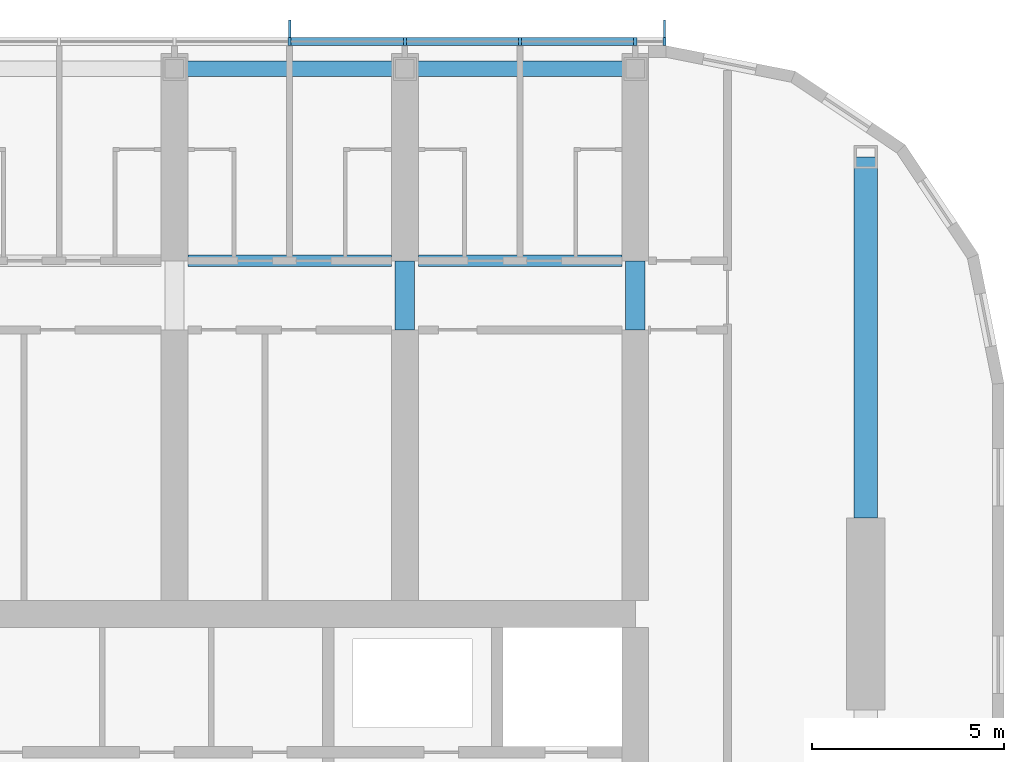
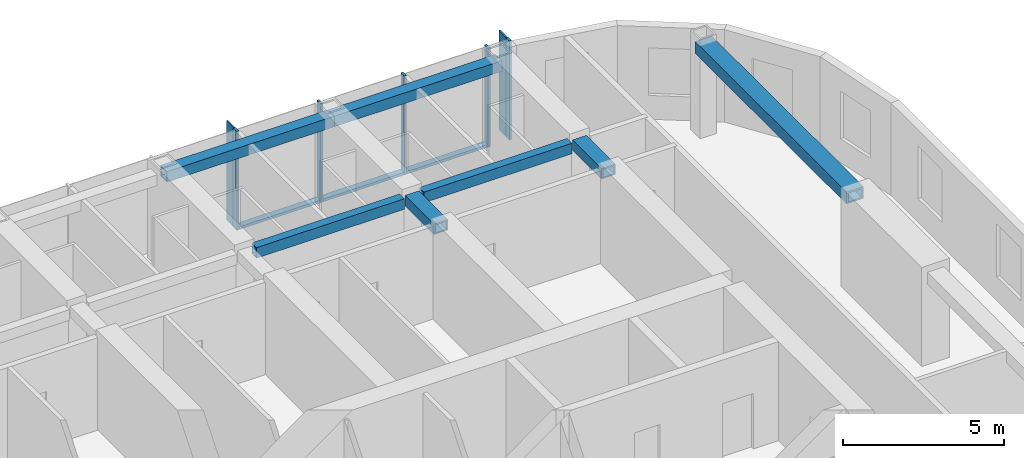
# One storey, part 5 of 24: 10 members, 7 beams, 1 element without a shape of its own.
"""IFC4 building model written with IfcOpenShell, lengths in metres."""

from ifc_helpers import new_model, si_unit, direction, frame, origin, origin_2d, place, context, subcontext, project, spatial, rectangle, hollow_rectangle, extrude, material, material_profile, profile_set, type_object, element, aggregate, save


model = new_model("IFC4")

# Units and contexts
model_context = context("Model", 3, precision=1e-05, world=origin(), true_north=direction((0.0, 1.0)))
body_context = subcontext(model_context, "Body", "Model", "MODEL_VIEW")
ifc_project = project(units=[si_unit("LENGTHUNIT", "METRE"), si_unit("AREAUNIT", "SQUARE_METRE"), si_unit("VOLUMEUNIT", "CUBIC_METRE"), si_unit("PLANEANGLEUNIT", "RADIAN"), si_unit("MASSUNIT", "GRAM", prefix="KILO")], contexts=[model_context])

# Site, building, storey
site_placement = place(None, origin())
site = spatial("IfcSite", under=ifc_project, at=site_placement, CompositionType="ELEMENT")
building_placement = place(site_placement, origin())
building = spatial("IfcBuilding", under=site, at=building_placement, Name="Orbita Commons", CompositionType="ELEMENT")
storey_placement = place(building_placement, frame((0.0, 0.0, 239.050048828125)))
storey = spatial("IfcBuildingStorey", under=building, at=storey_placement, Name="L59", CompositionType="ELEMENT", Elevation=239.050048828125)

# Curtain wall, members
ifc_material_1 = material(Name="Anodised aluminium frame, pale silver", Category="aluminium")
curtain_wall_type = type_object("IfcCurtainWallType", Name="Unitised curtain wall CW-U, full-height vision", PredefinedType="NOTDEFINED", material=ifc_material_1)
curtain_wall_placement = place(storey_placement, origin())
curtain_wall = element("IfcCurtainWall", 1, at=curtain_wall_placement, inside=storey, type_object=curtain_wall_type, Name="Curtain wall north L59", PredefinedType="NOTDEFINED")
ifc_material_2 = material(Name="Anodised aluminium, pale silver", Category="aluminium")
ifc_material_profile_1 = material_profile(ifc_material_2, rectangle(XDim=0.080078125, YDim=0.219970703125, at=origin_2d()), Name="AL 80x220")
ifc_profile_set_1 = profile_set([ifc_material_profile_1], Name="Anodised aluminium, pale silver")
member_type_1 = type_object("IfcMemberType", Name="Curtain wall mullion 80x220", PredefinedType="MULLION", material=ifc_profile_set_1)
member_1_placement = place(storey_placement, frame((66.760009765625, 53.110107421875, -0.25), z_axis=(0.0, 0.0, 1.0), x_axis=(-1.0, 0.0, 0.0)))
member_1 = element("IfcMember", 2, at=member_1_placement, type_object=member_type_1, Name="Mullion 1 CW-L59-N", PredefinedType="MULLION", context=body_context, shape_type="SweptSolid", body=[
    extrude(rectangle(XDim=0.080078125, YDim=0.219970703125, at=origin_2d()), origin(), (0.0, 0.0, 1.0), 3.75),
])
member_2_placement = place(storey_placement, frame((66.0, 53.110107421875, -0.25), z_axis=(0.0, 0.0, 1.0), x_axis=(-1.0, 0.0, 0.0)))
member_2 = element("IfcMember", 3, at=member_2_placement, type_object=member_type_1, Name="Mullion 2 CW-L59-N", PredefinedType="MULLION", context=body_context, shape_type="SweptSolid", body=[
    extrude(rectangle(XDim=0.080078125, YDim=0.219970703125, at=origin_2d()), origin(), (0.0, 0.0, 1.0), 3.75),
])
member_3_placement = place(storey_placement, frame((63.0, 53.110107421875, -0.25), z_axis=(0.0, 0.0, 1.0), x_axis=(-1.0, 0.0, 0.0)))
member_3 = element("IfcMember", 4, at=member_3_placement, type_object=member_type_1, Name="Mullion 3 CW-L59-N", PredefinedType="MULLION", context=body_context, shape_type="SweptSolid", body=[
    extrude(rectangle(XDim=0.080078125, YDim=0.219970703125, at=origin_2d()), origin(), (0.0, 0.0, 1.0), 3.75),
])
member_4_placement = place(storey_placement, frame((60.0, 53.110107421875, -0.25), z_axis=(0.0, 0.0, 1.0), x_axis=(-1.0, 0.0, 0.0)))
member_4 = element("IfcMember", 5, at=member_4_placement, type_object=member_type_1, Name="Mullion 4 CW-L59-N", PredefinedType="MULLION", context=body_context, shape_type="SweptSolid", body=[
    extrude(rectangle(XDim=0.080078125, YDim=0.219970703125, at=origin_2d()), origin(), (0.0, 0.0, 1.0), 3.75),
])
member_5_placement = place(storey_placement, frame((57.0, 53.110107421875, -0.25), z_axis=(0.0, 0.0, 1.0), x_axis=(-1.0, 0.0, 0.0)))
member_5 = element("IfcMember", 6, at=member_5_placement, type_object=member_type_1, Name="Mullion 5 CW-L59-N", PredefinedType="MULLION", context=body_context, shape_type="SweptSolid", body=[
    extrude(rectangle(XDim=0.080078125, YDim=0.219970703125, at=origin_2d()), origin(), (0.0, 0.0, 1.0), 3.75),
])
ifc_material_3 = material(Name="Anodised aluminium, pale silver", Category="aluminium")
ifc_material_profile_2 = material_profile(ifc_material_3, rectangle(XDim=0.219970703125, YDim=0.10009765625, at=origin_2d()), Name="AL 220x100")
ifc_profile_set_2 = profile_set([ifc_material_profile_2], Name="Anodised aluminium, pale silver")
member_type_2 = type_object("IfcMemberType", Name="Curtain wall stack transom 220x100", PredefinedType="USERDEFINED", material=ifc_profile_set_2)
member_6_placement = place(storey_placement, frame((65.9599609375, 53.110107421875, -0.199951171875), z_axis=(-1.0, 0.0, 0.0), x_axis=(0.0, -1.0, 0.0)))
member_6 = element("IfcMember", 7, at=member_6_placement, type_object=member_type_2, Name="Transom 2.1 CW-L59-N", ObjectType="TRANSOM", PredefinedType="USERDEFINED", context=body_context, shape_type="SweptSolid", body=[
    extrude(rectangle(XDim=0.219970703125, YDim=0.10009765625, at=origin_2d()), origin(), (0.0, 0.0, 1.0), 2.919921875),
])
member_7_placement = place(storey_placement, frame((62.9599609375, 53.110107421875, -0.199951171875), z_axis=(-1.0, 0.0, 0.0), x_axis=(0.0, -1.0, 0.0)))
member_7 = element("IfcMember", 8, at=member_7_placement, type_object=member_type_2, Name="Transom 3.1 CW-L59-N", ObjectType="TRANSOM", PredefinedType="USERDEFINED", context=body_context, shape_type="SweptSolid", body=[
    extrude(rectangle(XDim=0.219970703125, YDim=0.10009765625, at=origin_2d()), origin(), (0.0, 0.0, 1.0), 2.919921875),
])
member_8_placement = place(storey_placement, frame((59.9599609375, 53.110107421875, -0.199951171875), z_axis=(-1.0, 0.0, 0.0), x_axis=(0.0, -1.0, 0.0)))
member_8 = element("IfcMember", 9, at=member_8_placement, type_object=member_type_2, Name="Transom 4.1 CW-L59-N", ObjectType="TRANSOM", PredefinedType="USERDEFINED", context=body_context, shape_type="SweptSolid", body=[
    extrude(rectangle(XDim=0.219970703125, YDim=0.10009765625, at=origin_2d()), origin(), (0.0, 0.0, 1.0), 2.919921875),
])

# Beams
ifc_material_4 = material(Name="Steel ASTM A572 Gr 50 welded plate", Category="steel")
ifc_material_profile_3 = material_profile(ifc_material_4, hollow_rectangle(XDim=0.300048828125, YDim=0.39990234375, WallThickness=0.0400390625, at=origin_2d()), Name="BOX 400x300x40")
ifc_profile_set_3 = profile_set([ifc_material_profile_3], Name="Steel ASTM A572 Gr 50 welded plate")
beam_type_1 = type_object("IfcBeamType", Name="Steel corridor link BOX 400x300x40", PredefinedType="BEAM", material=ifc_profile_set_3)
for number, where, z_axis, x_axis, name in (
    (10, (54.35009765625, 47.39990234375, 3.300048828125), (1.0, 0.0, 0.0), (0.0, 1.0, 0.0), "Corridor beam NB 10-11 L59"),
    (11, (60.35009765625, 47.39990234375, 3.300048828125), (1.0, 0.0, 0.0), (0.0, 1.0, 0.0), "Corridor beam NB 11-12 L59"),
):
    element("IfcBeam", number, at=place(storey_placement, frame(where, z_axis=z_axis, x_axis=x_axis)), inside=storey, type_object=beam_type_1, Name=name, PredefinedType="BEAM", context=body_context, shape_type="SweptSolid", body=[
        extrude(hollow_rectangle(XDim=0.300048828125, YDim=0.39990234375, WallThickness=0.0400390625, at=origin_2d()), origin(), (0.0, 0.0, 1.0), 5.2998046875),
    ])
ifc_material_5 = material(Name="Steel ASTM A572 Gr 50 welded plate", Category="steel")
ifc_material_profile_4 = material_profile(ifc_material_5, hollow_rectangle(XDim=0.5, YDim=0.39990234375, WallThickness=0.050048828125, at=origin_2d()), Name="BOX 400x500x50")
ifc_profile_set_4 = profile_set([ifc_material_profile_4], Name="Steel ASTM A572 Gr 50 welded plate")
beam_type_2 = type_object("IfcBeamType", Name="Steel coupling link BOX 400x500x50", PredefinedType="LINTEL", material=ifc_profile_set_4)
for number, where, z_axis, x_axis, name in (
    (12, (60.0, 45.60009765625, 3.300048828125), (0.0, 1.0, 0.0), (-1.0, 0.0, 0.0), "Coupling beam 11 north L59"),
    (13, (66.0, 45.60009765625, 3.300048828125), (0.0, 1.0, 0.0), (-1.0, 0.0, 0.0), "Coupling beam 12 north L59"),
):
    element("IfcBeam", number, at=place(storey_placement, frame(where, z_axis=z_axis, x_axis=x_axis)), inside=storey, type_object=beam_type_2, Name=name, PredefinedType="LINTEL", context=body_context, shape_type="SweptSolid", body=[
        extrude(hollow_rectangle(XDim=0.5, YDim=0.39990234375, WallThickness=0.050048828125, at=origin_2d()), origin(), (0.0, 0.0, 1.0), 1.7998046875),
    ])
ifc_material_6 = material(Name="Steel ASTM A572 Gr 50 welded plate", Category="steel")
ifc_material_profile_5 = material_profile(ifc_material_6, hollow_rectangle(XDim=0.60009765625, YDim=0.449951171875, WallThickness=0.06005859375, at=origin_2d()), Name="BOX 450x600x60")
ifc_profile_set_5 = profile_set([ifc_material_profile_5], Name="Steel ASTM A572 Gr 50 welded plate")
beam_type_3 = type_object("IfcBeamType", Name="Steel end frame link BOX 450x600x60", PredefinedType="BEAM", material=ifc_profile_set_5)
beam_placement = place(storey_placement, frame((72.0, 40.699951171875, 3.27490234375), z_axis=(0.0, 1.0, 0.0), x_axis=(-1.0, 0.0, 0.0)))
element("IfcBeam", 14, at=beam_placement, inside=storey, type_object=beam_type_3, Name="End frame beam 13 D-E L59", PredefinedType="BEAM", context=body_context, shape_type="SweptSolid", body=[
    extrude(hollow_rectangle(XDim=0.60009765625, YDim=0.449951171875, WallThickness=0.06005859375, at=origin_2d()), origin(), (0.0, 0.0, 1.0), 9.400146484375),
])
ifc_material_7 = material(Name="Steel ASTM A572 Gr 50 welded plate", Category="steel")
ifc_material_profile_6 = material_profile(ifc_material_7, hollow_rectangle(XDim=0.39990234375, YDim=0.39990234375, WallThickness=0.0400390625, at=origin_2d()), Name="BOX 400x400x40")
ifc_profile_set_6 = profile_set([ifc_material_profile_6], Name="Steel ASTM A572 Gr 50 welded plate")
beam_type_4 = type_object("IfcBeamType", Name="Steel spandrel BOX 400x400x40", PredefinedType="SPANDREL", material=ifc_profile_set_6)
for number, where, z_axis, x_axis, name in (
    (15, (54.0, 52.39990234375, 3.300048828125), (1.0, 0.0, 0.0), (0.0, 1.0, 0.0), "Spandrel beam E 10-11 L59"),
    (16, (60.0, 52.39990234375, 3.300048828125), (1.0, 0.0, 0.0), (0.0, 1.0, 0.0), "Spandrel beam E 11-12 L59"),
):
    element("IfcBeam", number, at=place(storey_placement, frame(where, z_axis=z_axis, x_axis=x_axis)), inside=storey, type_object=beam_type_4, Name=name, PredefinedType="SPANDREL", context=body_context, shape_type="SweptSolid", body=[
        extrude(hollow_rectangle(XDim=0.39990234375, YDim=0.39990234375, WallThickness=0.0400390625, at=origin_2d()), origin(), (0.0, 0.0, 1.0), 6.0),
    ])

# Member
ifc_material_8 = material(Name="Anodised aluminium, pale silver", Category="aluminium")
ifc_material_profile_7 = material_profile(ifc_material_8, rectangle(XDim=0.06005859375, YDim=0.449951171875, at=origin_2d()), Name="FIN 60x450")
ifc_profile_set_7 = profile_set([ifc_material_profile_7], Name="Anodised aluminium, pale silver")
member_type_3 = type_object("IfcMemberType", Name="Vertical fin 60x450 pale aluminium", PredefinedType="USERDEFINED", material=ifc_profile_set_7)
member_9_placement = place(storey_placement, frame((66.760009765625, 53.445068359375, -0.25), z_axis=(0.0, 0.0, 1.0), x_axis=(-1.0, 0.0, 0.0)))
member_9 = element("IfcMember", 17, at=member_9_placement, type_object=member_type_3, Name="Fin 1 CW-L59-N", ObjectType="FIN", PredefinedType="USERDEFINED", context=body_context, shape_type="SweptSolid", body=[
    extrude(rectangle(XDim=0.06005859375, YDim=0.449951171875, at=origin_2d()), origin(), (0.0, 0.0, 1.0), 3.75),
])

member_10_placement = place(storey_placement, frame((57.0, 53.445068359375, -0.25), z_axis=(0.0, 0.0, 1.0), x_axis=(-1.0, 0.0, 0.0)))
member_10 = element("IfcMember", 18, at=member_10_placement, type_object=member_type_3, Name="Fin 5 CW-L59-N", ObjectType="FIN", PredefinedType="USERDEFINED", context=body_context, shape_type="SweptSolid", body=[
    extrude(rectangle(XDim=0.06005859375, YDim=0.449951171875, at=origin_2d()), origin(), (0.0, 0.0, 1.0), 3.75),
])

aggregate(curtain_wall, [member_1, member_9, member_2, member_3, member_4, member_5, member_10, member_6, member_7, member_8])

save(model, "model.ifc")
